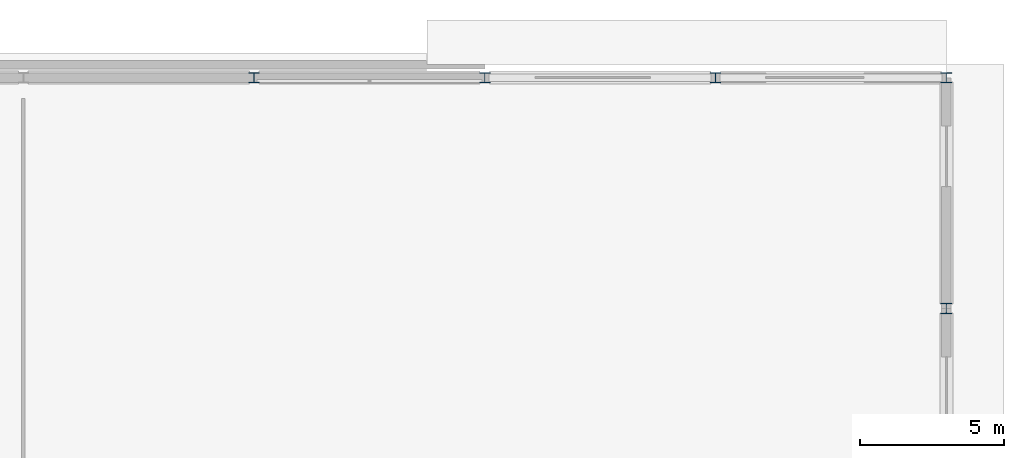
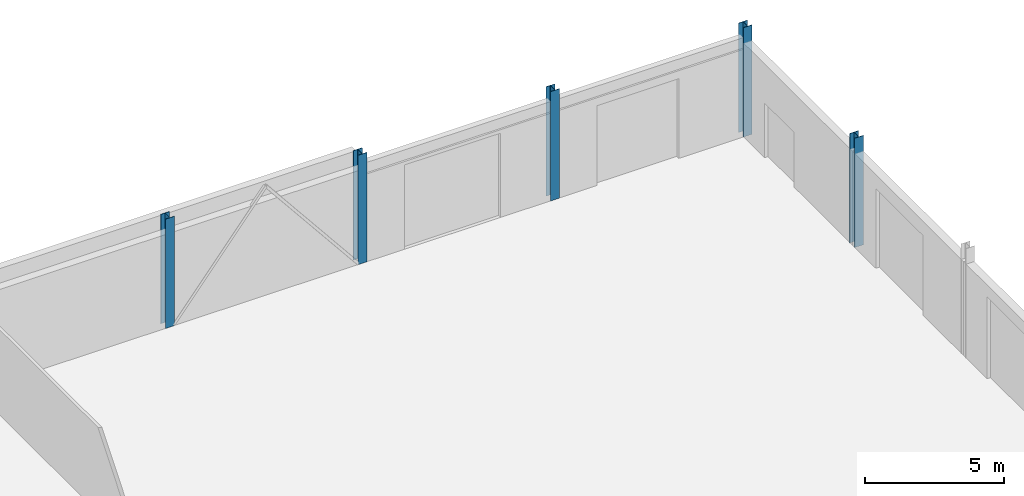
# One storey, part 21 of 117: 5 columns.
"""IFC4 building model written with IfcOpenShell, lengths in metres."""

import ifcopenshell
import ifcopenshell.guid

model = None  # the IFC model being written
_history = None  # IfcOwnerHistory: only IFC2X3 demands one
_inside = {}  # id of a spatial element -> (the spatial element, [elements in it])
_under = {}  # id of a project, library or spatial element -> (it, [spatial elements below it])
_declared = {}  # id of a project -> (the project, [libraries it declares])
_typed = {}  # id of a type object -> (the type object, [elements of that type])
_made_of = {}  # id of a material, layer set ... -> (it, [elements and type objects made of it])


def new_model(schema):
    """Start an empty IFC model of exactly this schema.

    Asked for "IFC4X3", IfcOpenShell would pick the latest addendum, in which some entities
    have other attributes; the version numbers below select the first issue.
    IFC2X3 requires an IfcOwnerHistory on every rooted entity: one is made here for all.
    """
    global model, _history
    if schema == "IFC4X3":
        model = ifcopenshell.file(schema_version=(4, 3, 0, 0))
    else:
        model = ifcopenshell.file(schema=schema)
    _inside.clear()
    _under.clear()
    _declared.clear()
    _typed.clear()
    _made_of.clear()
    _history = None
    if model.schema == "IFC2X3":
        org = make("IfcOrganization", Name="unknown")
        user = make(
            "IfcPersonAndOrganization",
            ThePerson=make("IfcPerson", FamilyName="unknown"),
            TheOrganization=org,
        )
        app = make(
            "IfcApplication",
            ApplicationDeveloper=org,
            Version="unknown",
            ApplicationFullName="unknown",
            ApplicationIdentifier="unknown",
        )
        _history = make(
            "IfcOwnerHistory",
            OwningUser=user,
            OwningApplication=app,
            ChangeAction="ADDED",
            CreationDate=0,
        )
    return model


def make(cls, **values):
    """One entity of the class cls with the attributes given. An attribute that is None is left unset."""
    return model.create_entity(
        cls, **{name: value for name, value in values.items() if value is not None}
    )


def rooted(cls, **values):
    """An entity with a GlobalId (a new one), such as an element, a storey or a relation."""
    return make(cls, GlobalId=ifcopenshell.guid.new(), OwnerHistory=_history, **values)


def si_unit(unit_type, name, prefix=None):
    """IfcSIUnit, for example si_unit("LENGTHUNIT", "METRE", prefix="MILLI")."""
    return make("IfcSIUnit", UnitType=unit_type, Prefix=prefix, Name=name)


def assignment(units):
    """IfcUnitAssignment: the units of a project."""
    return None if units is None else make("IfcUnitAssignment", Units=units)


def point(xyz):
    """IfcCartesianPoint."""
    return None if xyz is None else make("IfcCartesianPoint", Coordinates=xyz)


def direction(xyz):
    """IfcDirection."""
    return None if xyz is None else make("IfcDirection", DirectionRatios=xyz)


def frame(location, z_axis=None, x_axis=None):
    """IfcAxis2Placement3D, a coordinate frame: its origin and axes. An axis left out is left unset."""
    return make(
        "IfcAxis2Placement3D",
        Location=point(location),
        Axis=direction(z_axis),
        RefDirection=direction(x_axis),
    )


def frame_2d(location, x_axis=None):
    """IfcAxis2Placement2D, a coordinate frame in the plane: its origin and x axis."""
    return make(
        "IfcAxis2Placement2D", Location=point(location), RefDirection=direction(x_axis)
    )


def origin():
    """The frame at (0, 0, 0) with its axes left unset."""
    return frame((0.0, 0.0, 0.0))


def origin_2d():
    """The frame at (0, 0) in the plane with its x axis left unset."""
    return frame_2d((0.0, 0.0))


def place(relative_to, where):
    """IfcLocalPlacement: puts the frame where relative to a parent placement (None: the world)."""
    return make(
        "IfcLocalPlacement", PlacementRelTo=relative_to, RelativePlacement=where
    )


def context(
    kind, dimensions, precision=None, world=None, true_north=None, identifier=None
):
    """IfcGeometricRepresentationContext, for example the 3D "Model" context."""
    return make(
        "IfcGeometricRepresentationContext",
        ContextIdentifier=identifier,
        ContextType=kind,
        CoordinateSpaceDimension=dimensions,
        Precision=precision,
        WorldCoordinateSystem=world,
        TrueNorth=true_north,
    )


def subcontext(parent, identifier, kind, view, scale=None):
    """IfcGeometricRepresentationSubContext, for example "Body" below "Model"."""
    return make(
        "IfcGeometricRepresentationSubContext",
        ContextIdentifier=identifier,
        ContextType=kind,
        ParentContext=parent,
        TargetScale=scale,
        TargetView=view,
    )


def project(units=None, contexts=None):
    """IfcProject with its units and contexts."""
    return rooted(
        "IfcProject",
        Name="project",
        RepresentationContexts=contexts,
        UnitsInContext=assignment(units),
    )


def spatial(cls, under=None, at=None, **own):
    """A site, building, storey or space (cls), placed at a placement, below another one or the project."""
    s = rooted(cls, ObjectPlacement=at, **own)
    if under is not None:
        _under.setdefault(under.id(), (under, []))[1].append(s)
    return s


def profile(cls, at=None, kind="AREA", **sizes):
    """A parametric profile (cls). Its sizes go by their IFC names, for example OverallWidth=200.0."""
    return make(cls, ProfileType=kind, Position=at, **sizes)


def i_section(**sizes):
    """IfcIShapeProfileDef."""
    return profile("IfcIShapeProfileDef", **sizes)


def extrude(swept, where, along, depth):
    """IfcExtrudedAreaSolid: the profile swept, set in the frame where, extruded along a direction by depth."""
    return make(
        "IfcExtrudedAreaSolid",
        SweptArea=swept,
        Position=where,
        ExtrudedDirection=direction(along),
        Depth=depth,
    )


def shape(context_of_items, identifier, shape_type, items):
    """IfcShapeRepresentation: the items that make up one representation, for example the "Body"."""
    return make(
        "IfcShapeRepresentation",
        ContextOfItems=context_of_items,
        RepresentationIdentifier=identifier,
        RepresentationType=shape_type,
        Items=items,
    )


def material(Name=None, Category=None):
    """IfcMaterial."""
    return make("IfcMaterial", Name=Name, Category=Category)


def material_profile(
    of_material, cross_section, Name=None, Category=None, Priority=None
):
    """IfcMaterialProfile: a cross section and its material."""
    return make(
        "IfcMaterialProfile",
        Name=Name,
        Material=of_material,
        Profile=cross_section,
        Priority=Priority,
        Category=Category,
    )


def profile_set(profiles, Name=None, composite=None):
    """IfcMaterialProfileSet."""
    return make(
        "IfcMaterialProfileSet",
        Name=Name,
        MaterialProfiles=profiles,
        CompositeProfile=composite,
    )


def made_of(thing, what):
    """Note that an element or type object is made of a material, layer set ...; save() writes the relation."""
    if what is not None:
        _made_of.setdefault(what.id(), (what, []))[1].append(thing)
    return thing


def type_object(cls, material=None, **own):
    """A type object (cls), such as IfcWallType, which elements share."""
    return made_of(rooted(cls, **own), material)


def element(
    cls,
    number,
    at=None,
    inside=None,
    cuts=None,
    type_object=None,
    material=None,
    context=None,
    identifier="Body",
    shape_type=None,
    held_by="IfcProductDefinitionShape",
    body=None,
    shapes=None,
    **own,
):
    """One element of the class cls, such as IfcWall. Its Tag is "e" and its number.

    at: its placement. inside: the storey or other place that contains it. cuts: it is an
    opening in that element (IfcRelVoidsElement). A single representation is given by context,
    identifier, shape_type and body (its items); several are given by shapes. held_by: the class
    of the entity that holds the representations. save() writes the other relations.
    """
    e = rooted(cls, Tag="e%d" % number, ObjectPlacement=at, **own)
    if body is not None:
        shapes = [shape(context, identifier, shape_type, body)]
    if shapes is not None:
        e.Representation = make(held_by, Representations=shapes)
    if inside is not None:
        _inside.setdefault(inside.id(), (inside, []))[1].append(e)
    if cuts is not None:
        rooted(
            "IfcRelVoidsElement", RelatingBuildingElement=cuts, RelatedOpeningElement=e
        )
    if type_object is not None:
        _typed.setdefault(type_object.id(), (type_object, []))[1].append(e)
    return made_of(e, material)


def aggregate(whole, parts):
    """IfcRelAggregates: a whole, such as a stair, and the parts it consists of."""
    return rooted("IfcRelAggregates", RelatingObject=whole, RelatedObjects=parts)


def save(model, path):
    """Write the relations noted so far, then the file.

    IfcRelAggregates (storeys below a building ...), IfcRelContainedInSpatialStructure (elements
    in a storey), IfcRelDefinesByType, IfcRelAssociatesMaterial and IfcRelDeclares: one each for
    every whole, place, type object, material and project.
    """
    for whole, parts in _under.values():
        aggregate(whole, parts)
    for where, things in _inside.values():
        rooted(
            "IfcRelContainedInSpatialStructure",
            RelatedElements=things,
            RelatingStructure=where,
        )
    for kind, things in _typed.values():
        rooted("IfcRelDefinesByType", RelatedObjects=things, RelatingType=kind)
    for what, things in _made_of.values():
        rooted("IfcRelAssociatesMaterial", RelatedObjects=things, RelatingMaterial=what)
    for by, libraries in _declared.values():
        rooted("IfcRelDeclares", RelatingContext=by, RelatedDefinitions=libraries)
    model.write(path)


model = new_model("IFC4")

# Units and contexts
model_context = context("Model", 3, precision=1e-05, world=origin(), true_north=direction((0.0, 1.0)))
body_context = subcontext(model_context, "Body", "Model", "MODEL_VIEW")
ifc_project = project(units=[si_unit("LENGTHUNIT", "METRE"), si_unit("AREAUNIT", "SQUARE_METRE"), si_unit("VOLUMEUNIT", "CUBIC_METRE"), si_unit("PLANEANGLEUNIT", "RADIAN"), si_unit("MASSUNIT", "GRAM", prefix="KILO")], contexts=[model_context])

# Site, building, storey
site_placement = place(None, origin())
site = spatial("IfcSite", under=ifc_project, at=site_placement, CompositionType="ELEMENT")
building_placement = place(site_placement, origin())
building = spatial("IfcBuilding", under=site, at=building_placement, Name="Jelvoka-Kovrelna Polytechnic", CompositionType="ELEMENT")
storey_placement = place(building_placement, origin())
storey = spatial("IfcBuildingStorey", under=building, at=storey_placement, Name="L01", CompositionType="ELEMENT", Elevation=0.0)

# Columns
ifc_material = material(Name="Structural steel S355JR", Category="steel")
ifc_material_profile = material_profile(ifc_material, i_section(OverallWidth=0.36865234375, OverallDepth=0.355712890625, WebThickness=0.010498046875, FlangeThickness=0.017578125, FilletRadius=0.01513671875, at=origin_2d()), Name="356x368x129 UC")
ifc_profile_set = profile_set([ifc_material_profile], Name="Structural steel S355JR")
column_type = type_object("IfcColumnType", Name="Col_Steel_UC356", PredefinedType="COLUMN", material=ifc_profile_set)
for number, where, z_axis, x_axis, name in (
    (1, (200.0, 112.0, 0.0), (0.0, 0.0, 1.0), (1.0, 0.0, 0.0), "L01 column 1618"),
    (2, (176.0, 120.0, 0.0), (0.0, 0.0, 1.0), (1.0, 0.0, 0.0), "L01 column 1654"),
    (3, (184.0, 120.0, 0.0), (0.0, 0.0, 1.0), (1.0, 0.0, 0.0), "L01 column 1657"),
    (4, (192.0, 120.0, 0.0), (0.0, 0.0, 1.0), (1.0, 0.0, 0.0), "L01 column 1660"),
    (5, (200.0, 120.0, 0.0), (0.0, 0.0, 1.0), (1.0, 0.0, 0.0), "L01 column 1663"),
):
    element("IfcColumn", number, at=place(storey_placement, frame(where, z_axis=z_axis, x_axis=x_axis)), inside=storey, type_object=column_type, Name=name, PredefinedType="COLUMN", context=body_context, shape_type="SweptSolid", body=[
        extrude(i_section(OverallWidth=0.36865234375, OverallDepth=0.355712890625, WebThickness=0.010498046875, FlangeThickness=0.017578125, FilletRadius=0.01513671875, at=origin_2d()), origin(), (0.0, 0.0, 1.0), 4.800048828125),
    ])

save(model, "model.ifc")
